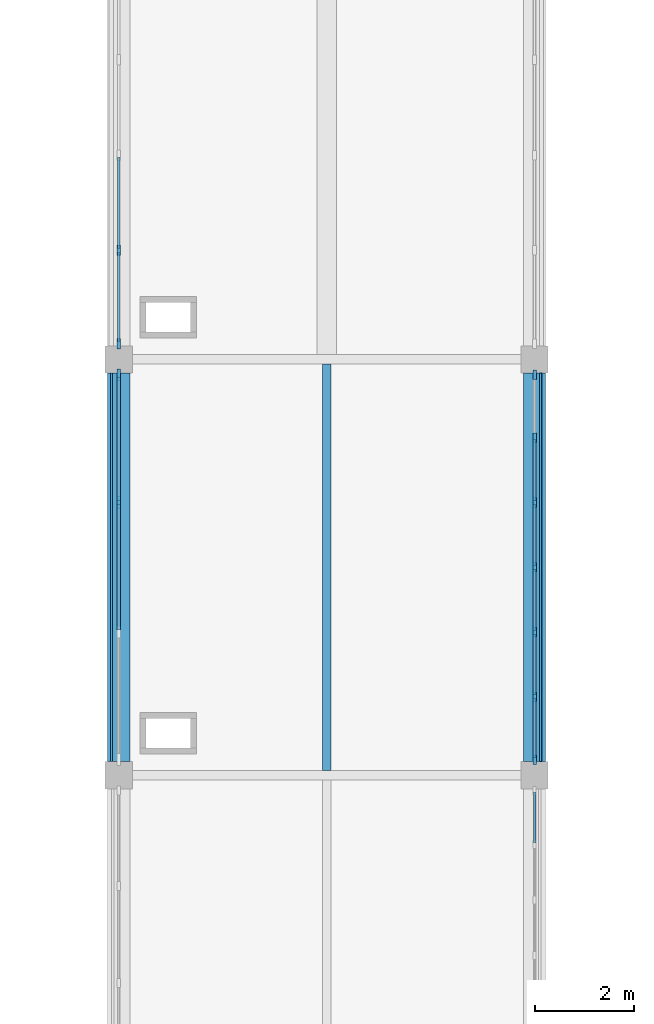
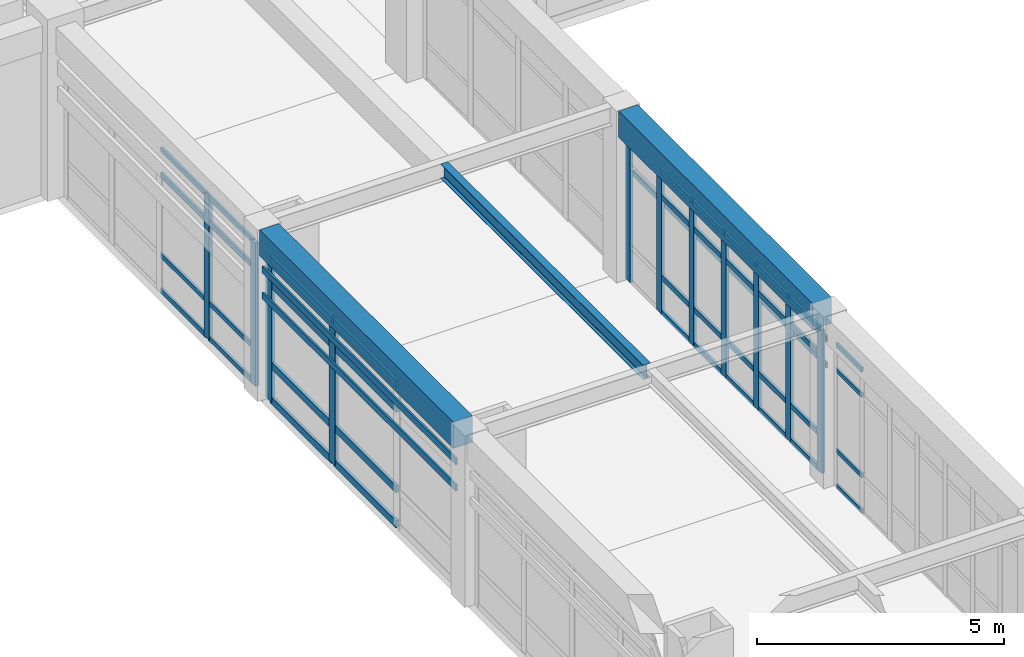
# One storey, part 24 of 78: 55 members, 3 beams, 4 elements without a shape of their own.
"""IFC4 building model written with IfcOpenShell, lengths in metres."""

from ifc_helpers import new_model, si_unit, direction, frame, origin, origin_2d, place, context, subcontext, project, spatial, rectangle, i_section, extrude, material, layer, layer_set, material_profile, profile_set, type_object, element, aggregate, save


model = new_model("IFC4")

# Units and contexts
model_context = context("Model", 3, precision=1e-05, world=origin(), true_north=direction((0.0, 1.0)))
body_context = subcontext(model_context, "Body", "Model", "MODEL_VIEW")
ifc_project = project(units=[si_unit("LENGTHUNIT", "METRE"), si_unit("AREAUNIT", "SQUARE_METRE"), si_unit("VOLUMEUNIT", "CUBIC_METRE"), si_unit("PLANEANGLEUNIT", "RADIAN"), si_unit("MASSUNIT", "GRAM", prefix="KILO")], contexts=[model_context])

# Site, building, storey
site_placement = place(None, origin())
site = spatial("IfcSite", under=ifc_project, at=site_placement, CompositionType="ELEMENT")
building_placement = place(site_placement, origin())
building = spatial("IfcBuilding", under=site, at=building_placement, Name="Porcellanite Civic Hall", CompositionType="ELEMENT")
storey_placement = place(building_placement, frame((0.0, 0.0, 10.260009765625)))
storey = spatial("IfcBuildingStorey", under=building, at=storey_placement, Name="L02", CompositionType="ELEMENT", Elevation=10.260009765625)

# Beams
ifc_material_1 = material(Name="Concrete N50 (50 MPa)", Category="concrete")
ifc_material_profile_1 = material_profile(ifc_material_1, rectangle(XDim=0.449951171875, YDim=0.64990234375, at=origin_2d()), Name="RC-450x650")
ifc_profile_set_1 = profile_set([ifc_material_profile_1], Name="Concrete N50 (50 MPa)")
beam_type_1 = type_object("IfcBeamType", Name="BM-RC650", PredefinedType="SPANDREL", material=ifc_profile_set_1)
for number, where, z_axis, x_axis, name in (
    (1, (117.60009765625, 84.2744140625, 3.9150390625), (0.0, 1.0, 0.0), (-1.0, 0.0, 0.0), "Beam Y L02 15-11"),
    (2, (126.0, 84.2744140625, 3.9150390625), (0.0, 1.0, 0.0), (-1.0, 0.0, 0.0), "Beam Y L02 16-11"),
):
    element("IfcBeam", number, at=place(storey_placement, frame(where, z_axis=z_axis, x_axis=x_axis)), inside=storey, type_object=beam_type_1, Name=name, PredefinedType="SPANDREL", context=body_context, shape_type="SweptSolid", body=[
        extrude(rectangle(XDim=0.449951171875, YDim=0.64990234375, at=origin_2d()), origin(), (0.0, 0.0, 1.0), 7.85107421875),
    ])

# Curtain wall, members
ifc_material_2 = material(Name="Anodised aluminium and solar laminated glass", Category="aluminium")
ifc_layer_1 = layer(ifc_material_2, 0.179931640625)
ifc_layer_set_1 = layer_set([ifc_layer_1], Name="Anodised aluminium and solar laminated glass")
curtain_wall_type_1 = type_object("IfcCurtainWallType", Name="CW-SYS08", PredefinedType="NOTDEFINED", material=ifc_layer_set_1)
curtain_wall_1_placement = place(storey_placement, origin())
curtain_wall_1 = element("IfcCurtainWall", 3, at=curtain_wall_1_placement, inside=storey, type_object=curtain_wall_type_1, Name="Curtain wall CW-166", PredefinedType="NOTDEFINED")
ifc_material_3 = material(Name="Anodised aluminium 6063-T6", Category="aluminium")
ifc_material_profile_2 = material_profile(ifc_material_3, rectangle(XDim=0.080078125, YDim=0.239990234375, at=origin_2d()), Name="AL-80x240")
ifc_profile_set_2 = profile_set([ifc_material_profile_2], Name="Anodised aluminium 6063-T6")
member_type_1 = type_object("IfcMemberType", Name="CWM-01", PredefinedType="MULLION", material=ifc_profile_set_2)
member_1_placement = place(storey_placement, frame((117.60009765625, 89.508056640625, 0.0), z_axis=(0.0, 0.0, 1.0), x_axis=(-1.0, 0.0, 0.0)))
member_1 = element("IfcMember", 4, at=member_1_placement, type_object=member_type_1, Name="CW-166 mullion 3", PredefinedType="MULLION", context=body_context, shape_type="SweptSolid", body=[
    extrude(rectangle(XDim=0.080078125, YDim=0.239990234375, at=origin_2d()), origin(), (0.0, 0.0, 1.0), 3.5400390625),
])
member_2_placement = place(storey_placement, frame((117.60009765625, 92.083984375, 0.0), z_axis=(0.0, 0.0, 1.0), x_axis=(-1.0, 0.0, 0.0)))
member_2 = element("IfcMember", 5, at=member_2_placement, type_object=member_type_1, Name="CW-166 mullion 4", PredefinedType="MULLION", context=body_context, shape_type="SweptSolid", body=[
    extrude(rectangle(XDim=0.080078125, YDim=0.239990234375, at=origin_2d()), origin(), (0.0, 0.0, 1.0), 3.5400390625),
])

ifc_material_4 = material(Name="Anodised aluminium and solar laminated glass", Category="aluminium")
ifc_layer_2 = layer(ifc_material_4, 0.179931640625)
ifc_layer_set_2 = layer_set([ifc_layer_2], Name="Anodised aluminium and solar laminated glass")
curtain_wall_type_2 = type_object("IfcCurtainWallType", Name="CW-SYS03", PredefinedType="NOTDEFINED", material=ifc_layer_set_2)
curtain_wall_2_placement = place(storey_placement, origin())
curtain_wall_2 = element("IfcCurtainWall", 6, at=curtain_wall_2_placement, inside=storey, type_object=curtain_wall_type_2, Name="Curtain wall CW-168", PredefinedType="NOTDEFINED")
ifc_material_5 = material(Name="Anodised aluminium 6063-T6", Category="aluminium")
ifc_material_profile_3 = material_profile(ifc_material_5, rectangle(XDim=0.080078125, YDim=0.2099609375, at=origin_2d()), Name="AL-80x210")
ifc_profile_set_3 = profile_set([ifc_material_profile_3], Name="Anodised aluminium 6063-T6")
member_type_2 = type_object("IfcMemberType", Name="CWM-02", PredefinedType="MULLION", material=ifc_profile_set_3)
member_3_placement = place(storey_placement, frame((117.60009765625, 92.716064453125, 0.0), z_axis=(0.0, 0.0, 1.0), x_axis=(-1.0, 0.0, 0.0)))
member_3 = element("IfcMember", 7, at=member_3_placement, type_object=member_type_2, Name="CW-168 mullion 1", PredefinedType="MULLION", context=body_context, shape_type="SweptSolid", body=[
    extrude(rectangle(XDim=0.080078125, YDim=0.2099609375, at=origin_2d()), origin(), (0.0, 0.0, 1.0), 3.5400390625),
])
member_4_placement = place(storey_placement, frame((117.60009765625, 94.6005859375, 0.0), z_axis=(0.0, 0.0, 1.0), x_axis=(-1.0, 0.0, 0.0)))
member_4 = element("IfcMember", 8, at=member_4_placement, type_object=member_type_2, Name="CW-168 mullion 2", PredefinedType="MULLION", context=body_context, shape_type="SweptSolid", body=[
    extrude(rectangle(XDim=0.080078125, YDim=0.2099609375, at=origin_2d()), origin(), (0.0, 0.0, 1.0), 3.5400390625),
])

ifc_material_6 = material(Name="Anodised aluminium and solar laminated glass", Category="aluminium")
ifc_layer_3 = layer(ifc_material_6, 0.179931640625)
ifc_layer_set_3 = layer_set([ifc_layer_3], Name="Anodised aluminium and solar laminated glass")
curtain_wall_type_3 = type_object("IfcCurtainWallType", Name="CW-SYS01", PredefinedType="NOTDEFINED", material=ifc_layer_set_3)
curtain_wall_3_placement = place(storey_placement, origin())
curtain_wall_3 = element("IfcCurtainWall", 9, at=curtain_wall_3_placement, inside=storey, type_object=curtain_wall_type_3, Name="Curtain wall CW-167", PredefinedType="NOTDEFINED")
ifc_material_7 = material(Name="Anodised aluminium 6063-T6", Category="aluminium")
ifc_material_profile_4 = material_profile(ifc_material_7, rectangle(XDim=0.070068359375, YDim=0.199951171875, at=origin_2d()), Name="AL-70x200")
ifc_profile_set_4 = profile_set([ifc_material_profile_4], Name="Anodised aluminium 6063-T6")
member_type_3 = type_object("IfcMemberType", Name="CWM-05", PredefinedType="MULLION", material=ifc_profile_set_4)
member_5_placement = place(storey_placement, frame((126.0, 92.089111328125, 0.0), z_axis=(0.0, 0.0, 1.0), x_axis=(1.0, 0.0, 0.0)))
member_5 = element("IfcMember", 10, at=member_5_placement, type_object=member_type_3, Name="CW-167 mullion 1", PredefinedType="MULLION", context=body_context, shape_type="SweptSolid", body=[
    extrude(rectangle(XDim=0.070068359375, YDim=0.199951171875, at=origin_2d()), origin(), (0.0, 0.0, 1.0), 3.5400390625),
])
member_6_placement = place(storey_placement, frame((126.0, 90.81591796875, 0.0), z_axis=(0.0, 0.0, 1.0), x_axis=(1.0, 0.0, 0.0)))
member_6 = element("IfcMember", 11, at=member_6_placement, type_object=member_type_3, Name="CW-167 mullion 2", PredefinedType="MULLION", context=body_context, shape_type="SweptSolid", body=[
    extrude(rectangle(XDim=0.070068359375, YDim=0.199951171875, at=origin_2d()), origin(), (0.0, 0.0, 1.0), 3.5400390625),
])
member_7_placement = place(storey_placement, frame((126.0, 89.508056640625, 0.0), z_axis=(0.0, 0.0, 1.0), x_axis=(1.0, 0.0, 0.0)))
member_7 = element("IfcMember", 12, at=member_7_placement, type_object=member_type_3, Name="CW-167 mullion 3", PredefinedType="MULLION", context=body_context, shape_type="SweptSolid", body=[
    extrude(rectangle(XDim=0.070068359375, YDim=0.199951171875, at=origin_2d()), origin(), (0.0, 0.0, 1.0), 3.5400390625),
])
member_8_placement = place(storey_placement, frame((126.0, 88.199951171875, 0.0), z_axis=(0.0, 0.0, 1.0), x_axis=(1.0, 0.0, 0.0)))
member_8 = element("IfcMember", 13, at=member_8_placement, type_object=member_type_3, Name="CW-167 mullion 4", PredefinedType="MULLION", context=body_context, shape_type="SweptSolid", body=[
    extrude(rectangle(XDim=0.070068359375, YDim=0.199951171875, at=origin_2d()), origin(), (0.0, 0.0, 1.0), 3.5400390625),
])
member_9_placement = place(storey_placement, frame((126.0, 86.89208984375, 0.0), z_axis=(0.0, 0.0, 1.0), x_axis=(1.0, 0.0, 0.0)))
member_9 = element("IfcMember", 14, at=member_9_placement, type_object=member_type_3, Name="CW-167 mullion 5", PredefinedType="MULLION", context=body_context, shape_type="SweptSolid", body=[
    extrude(rectangle(XDim=0.070068359375, YDim=0.199951171875, at=origin_2d()), origin(), (0.0, 0.0, 1.0), 3.5400390625),
])
member_10_placement = place(storey_placement, frame((126.0, 85.583984375, 0.0), z_axis=(0.0, 0.0, 1.0), x_axis=(1.0, 0.0, 0.0)))
member_10 = element("IfcMember", 15, at=member_10_placement, type_object=member_type_3, Name="CW-167 mullion 6", PredefinedType="MULLION", context=body_context, shape_type="SweptSolid", body=[
    extrude(rectangle(XDim=0.070068359375, YDim=0.199951171875, at=origin_2d()), origin(), (0.0, 0.0, 1.0), 3.5400390625),
])
member_11_placement = place(storey_placement, frame((126.0, 84.31103515625, 0.0), z_axis=(0.0, 0.0, 1.0), x_axis=(1.0, 0.0, 0.0)))
member_11 = element("IfcMember", 16, at=member_11_placement, type_object=member_type_3, Name="CW-167 mullion 7", PredefinedType="MULLION", context=body_context, shape_type="SweptSolid", body=[
    extrude(rectangle(XDim=0.070068359375, YDim=0.199951171875, at=origin_2d()), origin(), (0.0, 0.0, 1.0), 3.5400390625),
])

# Member
ifc_material_8 = material(Name="Anodised aluminium 6063-T6", Category="aluminium")
ifc_material_profile_5 = material_profile(ifc_material_8, rectangle(XDim=0.070068359375, YDim=0.175048828125, at=origin_2d()), Name="AL-70x175")
ifc_profile_set_5 = profile_set([ifc_material_profile_5], Name="Anodised aluminium 6063-T6")
member_type_4 = type_object("IfcMemberType", Name="CWT-01", PredefinedType="USERDEFINED", material=ifc_profile_set_5)
member_12_placement = place(storey_placement, frame((117.60009765625, 86.931884765625, 0.034912109375), z_axis=(0.0, 1.0, 0.0), x_axis=(-1.0, 0.0, 0.0)))
member_12 = element("IfcMember", 17, at=member_12_placement, type_object=member_type_4, Name="CW-166 transom 2.1", ObjectType="TRANSOM", PredefinedType="USERDEFINED", context=body_context, shape_type="SweptSolid", body=[
    extrude(rectangle(XDim=0.070068359375, YDim=0.175048828125, at=origin_2d()), origin(), (0.0, 0.0, 1.0), 2.5361328125),
])

member_13_placement = place(storey_placement, frame((117.60009765625, 86.931884765625, 0.89990234375), z_axis=(0.0, 1.0, 0.0), x_axis=(-1.0, 0.0, 0.0)))
member_13 = element("IfcMember", 18, at=member_13_placement, type_object=member_type_4, Name="CW-166 transom 2.2", ObjectType="TRANSOM", PredefinedType="USERDEFINED", context=body_context, shape_type="SweptSolid", body=[
    extrude(rectangle(XDim=0.070068359375, YDim=0.175048828125, at=origin_2d()), origin(), (0.0, 0.0, 1.0), 2.5361328125),
])

member_14_placement = place(storey_placement, frame((117.60009765625, 86.931884765625, 2.889892578125), z_axis=(0.0, 1.0, 0.0), x_axis=(-1.0, 0.0, 0.0)))
member_14 = element("IfcMember", 19, at=member_14_placement, type_object=member_type_4, Name="CW-166 transom 2.3", ObjectType="TRANSOM", PredefinedType="USERDEFINED", context=body_context, shape_type="SweptSolid", body=[
    extrude(rectangle(XDim=0.070068359375, YDim=0.175048828125, at=origin_2d()), origin(), (0.0, 0.0, 1.0), 2.5361328125),
])

member_15_placement = place(storey_placement, frame((117.60009765625, 86.931884765625, 3.5048828125), z_axis=(0.0, 1.0, 0.0), x_axis=(-1.0, 0.0, 0.0)))
member_15 = element("IfcMember", 20, at=member_15_placement, type_object=member_type_4, Name="CW-166 transom 2.4", ObjectType="TRANSOM", PredefinedType="USERDEFINED", context=body_context, shape_type="SweptSolid", body=[
    extrude(rectangle(XDim=0.070068359375, YDim=0.175048828125, at=origin_2d()), origin(), (0.0, 0.0, 1.0), 2.5361328125),
])

member_16_placement = place(storey_placement, frame((117.60009765625, 89.548095703125, 0.034912109375), z_axis=(0.0, 1.0, 0.0), x_axis=(-1.0, 0.0, 0.0)))
member_16 = element("IfcMember", 21, at=member_16_placement, type_object=member_type_4, Name="CW-166 transom 3.1", ObjectType="TRANSOM", PredefinedType="USERDEFINED", context=body_context, shape_type="SweptSolid", body=[
    extrude(rectangle(XDim=0.070068359375, YDim=0.175048828125, at=origin_2d()), origin(), (0.0, 0.0, 1.0), 2.495849609375),
])

member_17_placement = place(storey_placement, frame((117.60009765625, 89.548095703125, 0.89990234375), z_axis=(0.0, 1.0, 0.0), x_axis=(-1.0, 0.0, 0.0)))
member_17 = element("IfcMember", 22, at=member_17_placement, type_object=member_type_4, Name="CW-166 transom 3.2", ObjectType="TRANSOM", PredefinedType="USERDEFINED", context=body_context, shape_type="SweptSolid", body=[
    extrude(rectangle(XDim=0.070068359375, YDim=0.175048828125, at=origin_2d()), origin(), (0.0, 0.0, 1.0), 2.495849609375),
])

member_18_placement = place(storey_placement, frame((117.60009765625, 89.548095703125, 2.889892578125), z_axis=(0.0, 1.0, 0.0), x_axis=(-1.0, 0.0, 0.0)))
member_18 = element("IfcMember", 23, at=member_18_placement, type_object=member_type_4, Name="CW-166 transom 3.3", ObjectType="TRANSOM", PredefinedType="USERDEFINED", context=body_context, shape_type="SweptSolid", body=[
    extrude(rectangle(XDim=0.070068359375, YDim=0.175048828125, at=origin_2d()), origin(), (0.0, 0.0, 1.0), 2.495849609375),
])

member_19_placement = place(storey_placement, frame((117.60009765625, 89.548095703125, 3.5048828125), z_axis=(0.0, 1.0, 0.0), x_axis=(-1.0, 0.0, 0.0)))
member_19 = element("IfcMember", 24, at=member_19_placement, type_object=member_type_4, Name="CW-166 transom 3.4", ObjectType="TRANSOM", PredefinedType="USERDEFINED", context=body_context, shape_type="SweptSolid", body=[
    extrude(rectangle(XDim=0.070068359375, YDim=0.175048828125, at=origin_2d()), origin(), (0.0, 0.0, 1.0), 2.495849609375),
])

aggregate(curtain_wall_1, [member_1, member_2, member_12, member_13, member_14, member_15, member_16, member_17, member_18, member_19])

ifc_material_9 = material(Name="Anodised aluminium 6063-T6", Category="aluminium")
ifc_material_profile_6 = material_profile(ifc_material_9, rectangle(XDim=0.06005859375, YDim=0.1298828125, at=origin_2d()), Name="AL-60x130")
ifc_profile_set_6 = profile_set([ifc_material_profile_6], Name="Anodised aluminium 6063-T6")
member_type_5 = type_object("IfcMemberType", Name="CWT-03", PredefinedType="USERDEFINED", material=ifc_profile_set_6)
member_20_placement = place(storey_placement, frame((126.0, 90.781005859375, 0.030029296875), z_axis=(0.0, -1.0, 0.0), x_axis=(1.0, 0.0, 0.0)))
member_20 = element("IfcMember", 25, at=member_20_placement, type_object=member_type_5, Name="CW-167 transom 2.1", ObjectType="TRANSOM", PredefinedType="USERDEFINED", context=body_context, shape_type="SweptSolid", body=[
    extrude(rectangle(XDim=0.06005859375, YDim=0.1298828125, at=origin_2d()), origin(), (0.0, 0.0, 1.0), 1.238037109375),
])

member_21_placement = place(storey_placement, frame((126.0, 90.781005859375, 0.89990234375), z_axis=(0.0, -1.0, 0.0), x_axis=(1.0, 0.0, 0.0)))
member_21 = element("IfcMember", 26, at=member_21_placement, type_object=member_type_5, Name="CW-167 transom 2.2", ObjectType="TRANSOM", PredefinedType="USERDEFINED", context=body_context, shape_type="SweptSolid", body=[
    extrude(rectangle(XDim=0.06005859375, YDim=0.1298828125, at=origin_2d()), origin(), (0.0, 0.0, 1.0), 1.238037109375),
])

member_22_placement = place(storey_placement, frame((126.0, 90.781005859375, 2.889892578125), z_axis=(0.0, -1.0, 0.0), x_axis=(1.0, 0.0, 0.0)))
member_22 = element("IfcMember", 27, at=member_22_placement, type_object=member_type_5, Name="CW-167 transom 2.3", ObjectType="TRANSOM", PredefinedType="USERDEFINED", context=body_context, shape_type="SweptSolid", body=[
    extrude(rectangle(XDim=0.06005859375, YDim=0.1298828125, at=origin_2d()), origin(), (0.0, 0.0, 1.0), 1.238037109375),
])

member_23_placement = place(storey_placement, frame((126.0, 90.781005859375, 3.510009765625), z_axis=(0.0, -1.0, 0.0), x_axis=(1.0, 0.0, 0.0)))
member_23 = element("IfcMember", 28, at=member_23_placement, type_object=member_type_5, Name="CW-167 transom 2.4", ObjectType="TRANSOM", PredefinedType="USERDEFINED", context=body_context, shape_type="SweptSolid", body=[
    extrude(rectangle(XDim=0.06005859375, YDim=0.1298828125, at=origin_2d()), origin(), (0.0, 0.0, 1.0), 1.238037109375),
])

member_24_placement = place(storey_placement, frame((126.0, 89.472900390625, 0.030029296875), z_axis=(0.0, -1.0, 0.0), x_axis=(1.0, 0.0, 0.0)))
member_24 = element("IfcMember", 29, at=member_24_placement, type_object=member_type_5, Name="CW-167 transom 3.1", ObjectType="TRANSOM", PredefinedType="USERDEFINED", context=body_context, shape_type="SweptSolid", body=[
    extrude(rectangle(XDim=0.06005859375, YDim=0.1298828125, at=origin_2d()), origin(), (0.0, 0.0, 1.0), 1.23779296875),
])

member_25_placement = place(storey_placement, frame((126.0, 89.472900390625, 0.89990234375), z_axis=(0.0, -1.0, 0.0), x_axis=(1.0, 0.0, 0.0)))
member_25 = element("IfcMember", 30, at=member_25_placement, type_object=member_type_5, Name="CW-167 transom 3.2", ObjectType="TRANSOM", PredefinedType="USERDEFINED", context=body_context, shape_type="SweptSolid", body=[
    extrude(rectangle(XDim=0.06005859375, YDim=0.1298828125, at=origin_2d()), origin(), (0.0, 0.0, 1.0), 1.23779296875),
])

member_26_placement = place(storey_placement, frame((126.0, 89.472900390625, 2.889892578125), z_axis=(0.0, -1.0, 0.0), x_axis=(1.0, 0.0, 0.0)))
member_26 = element("IfcMember", 31, at=member_26_placement, type_object=member_type_5, Name="CW-167 transom 3.3", ObjectType="TRANSOM", PredefinedType="USERDEFINED", context=body_context, shape_type="SweptSolid", body=[
    extrude(rectangle(XDim=0.06005859375, YDim=0.1298828125, at=origin_2d()), origin(), (0.0, 0.0, 1.0), 1.23779296875),
])

member_27_placement = place(storey_placement, frame((126.0, 89.472900390625, 3.510009765625), z_axis=(0.0, -1.0, 0.0), x_axis=(1.0, 0.0, 0.0)))
member_27 = element("IfcMember", 32, at=member_27_placement, type_object=member_type_5, Name="CW-167 transom 3.4", ObjectType="TRANSOM", PredefinedType="USERDEFINED", context=body_context, shape_type="SweptSolid", body=[
    extrude(rectangle(XDim=0.06005859375, YDim=0.1298828125, at=origin_2d()), origin(), (0.0, 0.0, 1.0), 1.23779296875),
])

member_28_placement = place(storey_placement, frame((126.0, 88.1650390625, 0.030029296875), z_axis=(0.0, -1.0, 0.0), x_axis=(1.0, 0.0, 0.0)))
member_28 = element("IfcMember", 33, at=member_28_placement, type_object=member_type_5, Name="CW-167 transom 4.1", ObjectType="TRANSOM", PredefinedType="USERDEFINED", context=body_context, shape_type="SweptSolid", body=[
    extrude(rectangle(XDim=0.06005859375, YDim=0.1298828125, at=origin_2d()), origin(), (0.0, 0.0, 1.0), 1.238037109375),
])

member_29_placement = place(storey_placement, frame((126.0, 88.1650390625, 0.89990234375), z_axis=(0.0, -1.0, 0.0), x_axis=(1.0, 0.0, 0.0)))
member_29 = element("IfcMember", 34, at=member_29_placement, type_object=member_type_5, Name="CW-167 transom 4.2", ObjectType="TRANSOM", PredefinedType="USERDEFINED", context=body_context, shape_type="SweptSolid", body=[
    extrude(rectangle(XDim=0.06005859375, YDim=0.1298828125, at=origin_2d()), origin(), (0.0, 0.0, 1.0), 1.238037109375),
])

member_30_placement = place(storey_placement, frame((126.0, 88.1650390625, 2.889892578125), z_axis=(0.0, -1.0, 0.0), x_axis=(1.0, 0.0, 0.0)))
member_30 = element("IfcMember", 35, at=member_30_placement, type_object=member_type_5, Name="CW-167 transom 4.3", ObjectType="TRANSOM", PredefinedType="USERDEFINED", context=body_context, shape_type="SweptSolid", body=[
    extrude(rectangle(XDim=0.06005859375, YDim=0.1298828125, at=origin_2d()), origin(), (0.0, 0.0, 1.0), 1.238037109375),
])

member_31_placement = place(storey_placement, frame((126.0, 88.1650390625, 3.510009765625), z_axis=(0.0, -1.0, 0.0), x_axis=(1.0, 0.0, 0.0)))
member_31 = element("IfcMember", 36, at=member_31_placement, type_object=member_type_5, Name="CW-167 transom 4.4", ObjectType="TRANSOM", PredefinedType="USERDEFINED", context=body_context, shape_type="SweptSolid", body=[
    extrude(rectangle(XDim=0.06005859375, YDim=0.1298828125, at=origin_2d()), origin(), (0.0, 0.0, 1.0), 1.238037109375),
])

member_32_placement = place(storey_placement, frame((126.0, 86.85693359375, 0.030029296875), z_axis=(0.0, -1.0, 0.0), x_axis=(1.0, 0.0, 0.0)))
member_32 = element("IfcMember", 37, at=member_32_placement, type_object=member_type_5, Name="CW-167 transom 5.1", ObjectType="TRANSOM", PredefinedType="USERDEFINED", context=body_context, shape_type="SweptSolid", body=[
    extrude(rectangle(XDim=0.06005859375, YDim=0.1298828125, at=origin_2d()), origin(), (0.0, 0.0, 1.0), 1.238037109375),
])

member_33_placement = place(storey_placement, frame((126.0, 86.85693359375, 0.89990234375), z_axis=(0.0, -1.0, 0.0), x_axis=(1.0, 0.0, 0.0)))
member_33 = element("IfcMember", 38, at=member_33_placement, type_object=member_type_5, Name="CW-167 transom 5.2", ObjectType="TRANSOM", PredefinedType="USERDEFINED", context=body_context, shape_type="SweptSolid", body=[
    extrude(rectangle(XDim=0.06005859375, YDim=0.1298828125, at=origin_2d()), origin(), (0.0, 0.0, 1.0), 1.238037109375),
])

member_34_placement = place(storey_placement, frame((126.0, 86.85693359375, 2.889892578125), z_axis=(0.0, -1.0, 0.0), x_axis=(1.0, 0.0, 0.0)))
member_34 = element("IfcMember", 39, at=member_34_placement, type_object=member_type_5, Name="CW-167 transom 5.3", ObjectType="TRANSOM", PredefinedType="USERDEFINED", context=body_context, shape_type="SweptSolid", body=[
    extrude(rectangle(XDim=0.06005859375, YDim=0.1298828125, at=origin_2d()), origin(), (0.0, 0.0, 1.0), 1.238037109375),
])

member_35_placement = place(storey_placement, frame((126.0, 86.85693359375, 3.510009765625), z_axis=(0.0, -1.0, 0.0), x_axis=(1.0, 0.0, 0.0)))
member_35 = element("IfcMember", 40, at=member_35_placement, type_object=member_type_5, Name="CW-167 transom 5.4", ObjectType="TRANSOM", PredefinedType="USERDEFINED", context=body_context, shape_type="SweptSolid", body=[
    extrude(rectangle(XDim=0.06005859375, YDim=0.1298828125, at=origin_2d()), origin(), (0.0, 0.0, 1.0), 1.238037109375),
])

member_36_placement = place(storey_placement, frame((126.0, 85.549072265625, 0.030029296875), z_axis=(0.0, -1.0, 0.0), x_axis=(1.0, 0.0, 0.0)))
member_36 = element("IfcMember", 41, at=member_36_placement, type_object=member_type_5, Name="CW-167 transom 6.1", ObjectType="TRANSOM", PredefinedType="USERDEFINED", context=body_context, shape_type="SweptSolid", body=[
    extrude(rectangle(XDim=0.06005859375, YDim=0.1298828125, at=origin_2d()), origin(), (0.0, 0.0, 1.0), 1.203125),
])

member_37_placement = place(storey_placement, frame((126.0, 85.549072265625, 0.89990234375), z_axis=(0.0, -1.0, 0.0), x_axis=(1.0, 0.0, 0.0)))
member_37 = element("IfcMember", 42, at=member_37_placement, type_object=member_type_5, Name="CW-167 transom 6.2", ObjectType="TRANSOM", PredefinedType="USERDEFINED", context=body_context, shape_type="SweptSolid", body=[
    extrude(rectangle(XDim=0.06005859375, YDim=0.1298828125, at=origin_2d()), origin(), (0.0, 0.0, 1.0), 1.203125),
])

member_38_placement = place(storey_placement, frame((126.0, 85.549072265625, 2.889892578125), z_axis=(0.0, -1.0, 0.0), x_axis=(1.0, 0.0, 0.0)))
member_38 = element("IfcMember", 43, at=member_38_placement, type_object=member_type_5, Name="CW-167 transom 6.3", ObjectType="TRANSOM", PredefinedType="USERDEFINED", context=body_context, shape_type="SweptSolid", body=[
    extrude(rectangle(XDim=0.06005859375, YDim=0.1298828125, at=origin_2d()), origin(), (0.0, 0.0, 1.0), 1.203125),
])

member_39_placement = place(storey_placement, frame((126.0, 85.549072265625, 3.510009765625), z_axis=(0.0, -1.0, 0.0), x_axis=(1.0, 0.0, 0.0)))
member_39 = element("IfcMember", 44, at=member_39_placement, type_object=member_type_5, Name="CW-167 transom 6.4", ObjectType="TRANSOM", PredefinedType="USERDEFINED", context=body_context, shape_type="SweptSolid", body=[
    extrude(rectangle(XDim=0.06005859375, YDim=0.1298828125, at=origin_2d()), origin(), (0.0, 0.0, 1.0), 1.203125),
])

aggregate(curtain_wall_3, [member_5, member_6, member_7, member_8, member_9, member_10, member_11, member_20, member_21, member_22, member_23, member_24, member_25, member_26, member_27, member_28, member_29, member_30, member_31, member_32, member_33, member_34, member_35, member_36, member_37, member_38, member_39])

ifc_material_10 = material(Name="Anodised aluminium 6063-T6", Category="aluminium")
ifc_material_profile_7 = material_profile(ifc_material_10, rectangle(XDim=0.054931640625, YDim=0.1201171875, at=origin_2d()), Name="AL-55x120")
ifc_profile_set_7 = profile_set([ifc_material_profile_7], Name="Anodised aluminium 6063-T6")
member_type_6 = type_object("IfcMemberType", Name="CWT-04", PredefinedType="USERDEFINED", material=ifc_profile_set_7)
member_40_placement = place(storey_placement, frame((117.60009765625, 92.756103515625, 0.027587890625), z_axis=(0.0, 1.0, 0.0), x_axis=(-1.0, 0.0, 0.0)))
member_40 = element("IfcMember", 45, at=member_40_placement, type_object=member_type_6, Name="CW-168 transom 1.1", ObjectType="TRANSOM", PredefinedType="USERDEFINED", context=body_context, shape_type="SweptSolid", body=[
    extrude(rectangle(XDim=0.054931640625, YDim=0.1201171875, at=origin_2d()), origin(), (0.0, 0.0, 1.0), 1.804443359375),
])

member_41_placement = place(storey_placement, frame((117.60009765625, 92.756103515625, 0.89990234375), z_axis=(0.0, 1.0, 0.0), x_axis=(-1.0, 0.0, 0.0)))
member_41 = element("IfcMember", 46, at=member_41_placement, type_object=member_type_6, Name="CW-168 transom 1.2", ObjectType="TRANSOM", PredefinedType="USERDEFINED", context=body_context, shape_type="SweptSolid", body=[
    extrude(rectangle(XDim=0.054931640625, YDim=0.1201171875, at=origin_2d()), origin(), (0.0, 0.0, 1.0), 1.804443359375),
])

member_42_placement = place(storey_placement, frame((117.60009765625, 92.756103515625, 2.889892578125), z_axis=(0.0, 1.0, 0.0), x_axis=(-1.0, 0.0, 0.0)))
member_42 = element("IfcMember", 47, at=member_42_placement, type_object=member_type_6, Name="CW-168 transom 1.3", ObjectType="TRANSOM", PredefinedType="USERDEFINED", context=body_context, shape_type="SweptSolid", body=[
    extrude(rectangle(XDim=0.054931640625, YDim=0.1201171875, at=origin_2d()), origin(), (0.0, 0.0, 1.0), 1.804443359375),
])

member_43_placement = place(storey_placement, frame((117.60009765625, 92.756103515625, 3.512451171875), z_axis=(0.0, 1.0, 0.0), x_axis=(-1.0, 0.0, 0.0)))
member_43 = element("IfcMember", 48, at=member_43_placement, type_object=member_type_6, Name="CW-168 transom 1.4", ObjectType="TRANSOM", PredefinedType="USERDEFINED", context=body_context, shape_type="SweptSolid", body=[
    extrude(rectangle(XDim=0.054931640625, YDim=0.1201171875, at=origin_2d()), origin(), (0.0, 0.0, 1.0), 1.804443359375),
])

member_44_placement = place(storey_placement, frame((117.60009765625, 94.640380859375, 0.027587890625), z_axis=(0.0, 1.0, 0.0), x_axis=(-1.0, 0.0, 0.0)))
member_44 = element("IfcMember", 49, at=member_44_placement, type_object=member_type_6, Name="CW-168 transom 2.1", ObjectType="TRANSOM", PredefinedType="USERDEFINED", context=body_context, shape_type="SweptSolid", body=[
    extrude(rectangle(XDim=0.054931640625, YDim=0.1201171875, at=origin_2d()), origin(), (0.0, 0.0, 1.0), 1.8447265625),
])

member_45_placement = place(storey_placement, frame((117.60009765625, 94.640380859375, 0.89990234375), z_axis=(0.0, 1.0, 0.0), x_axis=(-1.0, 0.0, 0.0)))
member_45 = element("IfcMember", 50, at=member_45_placement, type_object=member_type_6, Name="CW-168 transom 2.2", ObjectType="TRANSOM", PredefinedType="USERDEFINED", context=body_context, shape_type="SweptSolid", body=[
    extrude(rectangle(XDim=0.054931640625, YDim=0.1201171875, at=origin_2d()), origin(), (0.0, 0.0, 1.0), 1.8447265625),
])

member_46_placement = place(storey_placement, frame((117.60009765625, 94.640380859375, 2.889892578125), z_axis=(0.0, 1.0, 0.0), x_axis=(-1.0, 0.0, 0.0)))
member_46 = element("IfcMember", 51, at=member_46_placement, type_object=member_type_6, Name="CW-168 transom 2.3", ObjectType="TRANSOM", PredefinedType="USERDEFINED", context=body_context, shape_type="SweptSolid", body=[
    extrude(rectangle(XDim=0.054931640625, YDim=0.1201171875, at=origin_2d()), origin(), (0.0, 0.0, 1.0), 1.8447265625),
])

member_47_placement = place(storey_placement, frame((117.60009765625, 94.640380859375, 3.512451171875), z_axis=(0.0, 1.0, 0.0), x_axis=(-1.0, 0.0, 0.0)))
member_47 = element("IfcMember", 52, at=member_47_placement, type_object=member_type_6, Name="CW-168 transom 2.4", ObjectType="TRANSOM", PredefinedType="USERDEFINED", context=body_context, shape_type="SweptSolid", body=[
    extrude(rectangle(XDim=0.054931640625, YDim=0.1201171875, at=origin_2d()), origin(), (0.0, 0.0, 1.0), 1.8447265625),
])

aggregate(curtain_wall_2, [member_3, member_4, member_40, member_41, member_42, member_43, member_44, member_45, member_46, member_47])

# Curtain wall, members
ifc_material_11 = material(Name="Anodised aluminium and solar laminated glass", Category="aluminium")
ifc_layer_4 = layer(ifc_material_11, 0.179931640625)
ifc_layer_set_4 = layer_set([ifc_layer_4], Name="Anodised aluminium and solar laminated glass")
curtain_wall_type_4 = type_object("IfcCurtainWallType", Name="CW-SYS07", PredefinedType="NOTDEFINED", material=ifc_layer_set_4)
curtain_wall_4_placement = place(storey_placement, origin())
curtain_wall_4 = element("IfcCurtainWall", 53, at=curtain_wall_4_placement, inside=storey, type_object=curtain_wall_type_4, Name="Curtain wall CW-165", PredefinedType="NOTDEFINED")
ifc_material_12 = material(Name="Anodised aluminium 6063-T6", Category="aluminium")
ifc_material_profile_8 = material_profile(ifc_material_12, rectangle(XDim=0.050048828125, YDim=0.110107421875, at=origin_2d()), Name="AL-50x110")
ifc_profile_set_8 = profile_set([ifc_material_profile_8], Name="Anodised aluminium 6063-T6")
member_type_7 = type_object("IfcMemberType", Name="CWT-07", PredefinedType="USERDEFINED", material=ifc_profile_set_8)
member_48_placement = place(storey_placement, frame((126.0, 83.6640625, 0.02490234375), z_axis=(0.0, -1.0, 0.0), x_axis=(1.0, 0.0, 0.0)))
member_48 = element("IfcMember", 54, at=member_48_placement, type_object=member_type_7, Name="CW-165 transom 1.1", ObjectType="TRANSOM", PredefinedType="USERDEFINED", context=body_context, shape_type="SweptSolid", body=[
    extrude(rectangle(XDim=0.050048828125, YDim=0.110107421875, at=origin_2d()), origin(), (0.0, 0.0, 1.0), 1.03125),
])
member_49_placement = place(storey_placement, frame((126.0, 83.6640625, 0.89990234375), z_axis=(0.0, -1.0, 0.0), x_axis=(1.0, 0.0, 0.0)))
member_49 = element("IfcMember", 55, at=member_49_placement, type_object=member_type_7, Name="CW-165 transom 1.2", ObjectType="TRANSOM", PredefinedType="USERDEFINED", context=body_context, shape_type="SweptSolid", body=[
    extrude(rectangle(XDim=0.050048828125, YDim=0.110107421875, at=origin_2d()), origin(), (0.0, 0.0, 1.0), 1.03125),
])
member_50_placement = place(storey_placement, frame((126.0, 83.6640625, 2.889892578125), z_axis=(0.0, -1.0, 0.0), x_axis=(1.0, 0.0, 0.0)))
member_50 = element("IfcMember", 56, at=member_50_placement, type_object=member_type_7, Name="CW-165 transom 1.3", ObjectType="TRANSOM", PredefinedType="USERDEFINED", context=body_context, shape_type="SweptSolid", body=[
    extrude(rectangle(XDim=0.050048828125, YDim=0.110107421875, at=origin_2d()), origin(), (0.0, 0.0, 1.0), 1.03125),
])
member_51_placement = place(storey_placement, frame((126.0, 83.6640625, 3.514892578125), z_axis=(0.0, -1.0, 0.0), x_axis=(1.0, 0.0, 0.0)))
member_51 = element("IfcMember", 57, at=member_51_placement, type_object=member_type_7, Name="CW-165 transom 1.4", ObjectType="TRANSOM", PredefinedType="USERDEFINED", context=body_context, shape_type="SweptSolid", body=[
    extrude(rectangle(XDim=0.050048828125, YDim=0.110107421875, at=origin_2d()), origin(), (0.0, 0.0, 1.0), 1.03125),
])
aggregate(curtain_wall_4, [member_48, member_49, member_50, member_51])

# Beam
ifc_material_13 = material(Name="Steel Grade 350", Category="steel")
ifc_material_profile_9 = material_profile(ifc_material_13, i_section(OverallWidth=0.1708984375, OverallDepth=0.35595703125, WebThickness=0.00732421875, FlangeThickness=0.011474609375, FilletRadius=0.011474609375, at=origin_2d()), Name="360UB50.7")
ifc_profile_set_9 = profile_set([ifc_material_profile_9], Name="Steel Grade 350")
beam_type_2 = type_object("IfcBeamType", Name="JST-360UB51", PredefinedType="JOIST", material=ifc_profile_set_9)
beam_placement = place(storey_placement, frame((121.800048828125, 84.094482421875, 4.06201171875), z_axis=(0.0, 1.0, 0.0), x_axis=(-1.0, 0.0, 0.0)))
element("IfcBeam", 58, at=beam_placement, inside=storey, type_object=beam_type_2, Name="Secondary joist L02 15-11", PredefinedType="JOIST", context=body_context, shape_type="SweptSolid", body=[
    extrude(i_section(OverallWidth=0.1708984375, OverallDepth=0.35595703125, WebThickness=0.00732421875, FlangeThickness=0.011474609375, FilletRadius=0.011474609375, at=origin_2d()), origin(), (0.0, 0.0, 1.0), 8.2109375),
])

# Members
ifc_material_14 = material(Name="Fluoropolymer bauxite-red aluminium 6063-T6", Category="aluminium")
ifc_material_profile_10 = material_profile(ifc_material_14, rectangle(XDim=0.044921875, YDim=0.159912109375, at=origin_2d()), Name="AL-45x160")
ifc_profile_set_10 = profile_set([ifc_material_profile_10], Name="Fluoropolymer bauxite-red aluminium 6063-T6")
member_type_8 = type_object("IfcMemberType", Name="LV-BLD11", PredefinedType="USERDEFINED", material=ifc_profile_set_10)
for number, where, z_axis, x_axis, name in (
    (59, (117.45556640625, 84.2744140625, 3.239990234375), (0.0, 1.0, 0.0), (-1.0, 0.0, 0.0), "Cyclone sunshade louvre L02 W 14-10 1"),
    (60, (117.45556640625, 84.2744140625, 2.590087890625), (0.0, 1.0, 0.0), (-1.0, 0.0, 0.0), "Cyclone sunshade louvre L02 W 14-10 2"),
):
    element("IfcMember", number, at=place(storey_placement, frame(where, z_axis=z_axis, x_axis=x_axis)), inside=storey, type_object=member_type_8, Name=name, ObjectType="LOUVRE BLADE", PredefinedType="USERDEFINED", context=body_context, shape_type="SweptSolid", body=[
        extrude(rectangle(XDim=0.044921875, YDim=0.159912109375, at=origin_2d()), origin(), (0.0, 0.0, 1.0), 7.85107421875),
    ])
ifc_material_15 = material(Name="Fluoropolymer bauxite-red aluminium 6063-T6", Category="aluminium")
ifc_material_profile_11 = material_profile(ifc_material_15, rectangle(XDim=0.0400390625, YDim=0.139892578125, at=origin_2d()), Name="AL-40x140")
ifc_profile_set_11 = profile_set([ifc_material_profile_11], Name="Fluoropolymer bauxite-red aluminium 6063-T6")
member_type_9 = type_object("IfcMemberType", Name="LV-BLD12", PredefinedType="USERDEFINED", material=ifc_profile_set_11)
for number, where, z_axis, x_axis, name in (
    (61, (126.1220703125, 92.12548828125, 3.239990234375), (0.0, -1.0, 0.0), (1.0, 0.0, 0.0), "Cyclone sunshade louvre L02 E 14-10 1"),
    (62, (126.1220703125, 92.12548828125, 2.590087890625), (0.0, -1.0, 0.0), (1.0, 0.0, 0.0), "Cyclone sunshade louvre L02 E 14-10 2"),
):
    element("IfcMember", number, at=place(storey_placement, frame(where, z_axis=z_axis, x_axis=x_axis)), inside=storey, type_object=member_type_9, Name=name, ObjectType="LOUVRE BLADE", PredefinedType="USERDEFINED", context=body_context, shape_type="SweptSolid", body=[
        extrude(rectangle(XDim=0.0400390625, YDim=0.139892578125, at=origin_2d()), origin(), (0.0, 0.0, 1.0), 7.85107421875),
    ])

save(model, "model.ifc")
